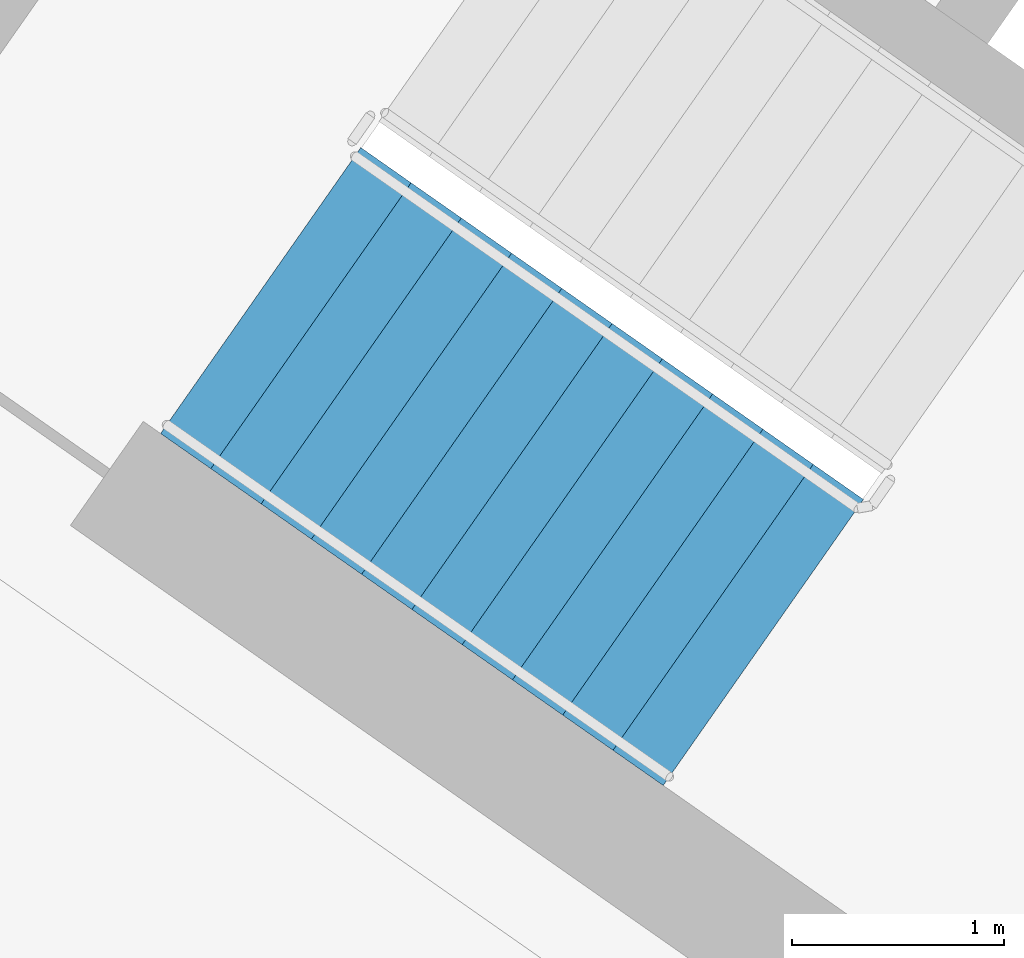
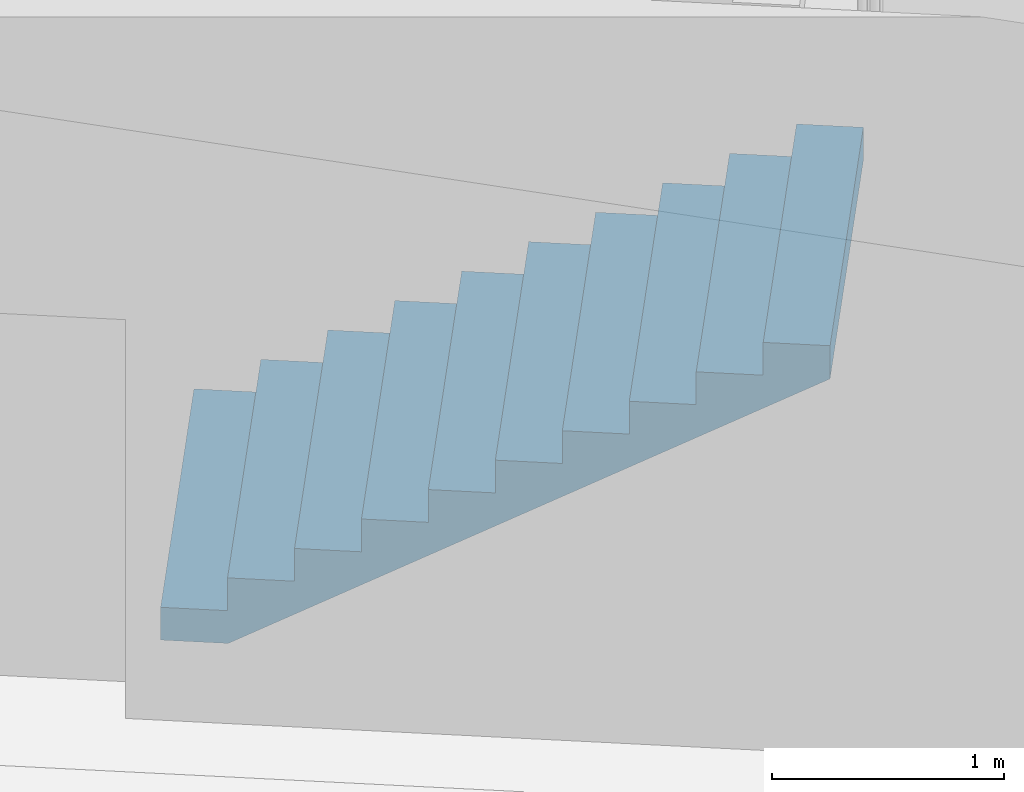
# One storey, part 10 of 28: 1 stair flight, 1 element without a shape of its own.
"""IFC4 building model written with IfcOpenShell, lengths in metres."""

from ifc_helpers import new_model, si_unit, direction, frame, origin, place, context, subcontext, project, spatial, faceted_brep, material, type_object, element, aggregate, save


model = new_model("IFC4")

# Units and contexts
model_context = context("Model", 3, precision=1e-05, world=origin(), true_north=direction((0.0, 1.0)))
body_context = subcontext(model_context, "Body", "Model", "MODEL_VIEW")
ifc_project = project(units=[si_unit("LENGTHUNIT", "METRE"), si_unit("AREAUNIT", "SQUARE_METRE"), si_unit("VOLUMEUNIT", "CUBIC_METRE"), si_unit("PLANEANGLEUNIT", "RADIAN"), si_unit("MASSUNIT", "GRAM", prefix="KILO")], contexts=[model_context])

# Site, building, storey
site_placement = place(None, origin())
site = spatial("IfcSite", under=ifc_project, at=site_placement, CompositionType="ELEMENT")
building_placement = place(site_placement, origin())
building = spatial("IfcBuilding", under=site, at=building_placement, Name="Qamariyya Broadcast Tower", CompositionType="ELEMENT")
storey_placement = place(building_placement, frame((0.0, 0.0, 277.10009765625)))
storey = spatial("IfcBuildingStorey", under=building, at=storey_placement, Name="L67", CompositionType="ELEMENT", Elevation=277.10009765625)

# Stair, stair flight
ifc_material = material(Name="Concrete C50/60", Category="concrete")
stair_type = type_object("IfcStairType", Name="Exit stair 22 risers of 173 mm", PredefinedType="HALF_TURN_STAIR", material=ifc_material)
stair_placement = place(storey_placement, origin())
stair = element("IfcStair", 1, at=stair_placement, inside=storey, type_object=stair_type, Name="L67 Stair W1", PredefinedType="HALF_TURN_STAIR")
stair_flight_type = type_object("IfcStairFlightType", Name="Exit stair flight 11 risers of 173 mm", PredefinedType="STRAIGHT", material=ifc_material)
stair_flight_placement = place(storey_placement, frame((-47.06884765625, -56.982666015625, 0.0), z_axis=(0.0, 0.0, 1.0), x_axis=(0.819152044289, -0.573576436351, 0.0)))
stair_flight = element("IfcStairFlight", 2, at=stair_flight_placement, type_object=stair_flight_type, Name="ST-W1 flight 1", NumberOfRisers=11, NumberOfTreads=10, PredefinedType="STRAIGHT", RiserHeight=0.172727273, TreadLength=0.29, context=body_context, shape_type="Brep", body=[
    faceted_brep([(0.0, 0.824951171875, 0.0), (0.0, 0.824951171875, 0.172607421875), (0.2900390625, 0.824951171875, 0.172607421875), (0.2900390625, 0.824951171875, 0.345458984375), (0.580078125, 0.824951171875, 0.345458984375), (0.580078125, 0.824951171875, 0.51806640625), (0.8701171875, 0.824951171875, 0.51806640625), (0.8701171875, 0.824951171875, 0.69091796875), (1.159912109375, 0.824951171875, 0.69091796875), (1.159912109375, 0.824951171875, 0.863525390625), (1.449951171875, 0.824951171875, 0.863525390625), (1.449951171875, 0.824951171875, 1.036376953125), (1.739990234375, 0.824951171875, 1.036376953125), (1.739990234375, 0.824951171875, 1.208984375), (2.030029296875, 0.824951171875, 1.208984375), (2.030029296875, 0.824951171875, 1.3818359375), (2.320068359375, 0.824951171875, 1.3818359375), (2.320068359375, 0.824951171875, 1.554443359375), (2.610107421875, 0.824951171875, 1.554443359375), (2.610107421875, 0.824951171875, 1.727294921875), (2.89990234375, 0.824951171875, 1.727294921875), (2.89990234375, 0.824951171875, 1.552734375), (0.29296875, 0.824951171875, 0.0), (0.29296875, -0.824951171875, 0.0), (2.89990234375, -0.824951171875, 1.552734375), (2.89990234375, -0.824951171875, 1.727294921875), (2.610107421875, -0.824951171875, 1.727294921875), (2.610107421875, -0.824951171875, 1.554443359375), (2.320068359375, -0.824951171875, 1.554443359375), (2.320068359375, -0.824951171875, 1.3818359375), (2.030029296875, -0.824951171875, 1.3818359375), (2.030029296875, -0.824951171875, 1.208984375), (1.739990234375, -0.824951171875, 1.208984375), (1.739990234375, -0.824951171875, 1.036376953125), (1.449951171875, -0.824951171875, 1.036376953125), (1.449951171875, -0.824951171875, 0.863525390625), (1.159912109375, -0.824951171875, 0.863525390625), (1.159912109375, -0.824951171875, 0.69091796875), (0.8701171875, -0.824951171875, 0.69091796875), (0.8701171875, -0.824951171875, 0.51806640625), (0.580078125, -0.824951171875, 0.51806640625), (0.580078125, -0.824951171875, 0.345458984375), (0.2900390625, -0.824951171875, 0.345458984375), (0.2900390625, -0.824951171875, 0.172607421875), (0.0, -0.824951171875, 0.172607421875), (0.0, -0.824951171875, 0.0), (0.0, 0.10009765625, 0.0), (0.0, 0.086669921875, 0.0), (0.0, 0.0732421875, 0.0), (0.0, 0.06005859375, 0.0), (0.0, 0.046630859375, 0.0), (0.0, 0.033447265625, 0.0), (0.0, 0.02001953125, 0.0), (0.0, 0.006591796875, 0.0), (0.0, -0.006591796875, 0.0), (0.0, -0.02001953125, 0.0), (0.0, -0.033447265625, 0.0), (0.0, -0.046630859375, 0.0), (0.0, -0.06005859375, 0.0), (0.0, -0.0732421875, 0.0), (0.0, -0.086669921875, 0.0), (0.0, -0.10009765625, 0.0), (0.0, -0.10009765625, 0.172607421875), (0.0, -0.086669921875, 0.172607421875), (0.0, -0.0732421875, 0.172607421875), (0.0, -0.06005859375, 0.172607421875), (0.0, -0.046630859375, 0.172607421875), (0.0, -0.033447265625, 0.172607421875), (0.0, -0.02001953125, 0.172607421875), (0.0, -0.006591796875, 0.172607421875), (0.0, 0.006591796875, 0.172607421875), (0.0, 0.02001953125, 0.172607421875), (0.0, 0.033447265625, 0.172607421875), (0.0, 0.046630859375, 0.172607421875), (0.0, 0.06005859375, 0.172607421875), (0.0, 0.0732421875, 0.172607421875), (0.0, 0.086669921875, 0.172607421875), (0.0, 0.10009765625, 0.172607421875), (0.2900390625, -0.10009765625, 0.172607421875), (0.2900390625, -0.086669921875, 0.172607421875), (0.2900390625, -0.0732421875, 0.172607421875), (0.2900390625, -0.06005859375, 0.172607421875), (0.2900390625, -0.046630859375, 0.172607421875), (0.2900390625, -0.033447265625, 0.172607421875), (0.2900390625, -0.02001953125, 0.172607421875), (0.2900390625, -0.006591796875, 0.172607421875), (0.2900390625, 0.006591796875, 0.172607421875), (0.2900390625, 0.02001953125, 0.172607421875), (0.2900390625, 0.033447265625, 0.172607421875), (0.2900390625, 0.046630859375, 0.172607421875), (0.2900390625, 0.06005859375, 0.172607421875), (0.2900390625, 0.0732421875, 0.172607421875), (0.2900390625, 0.086669921875, 0.172607421875), (0.2900390625, 0.10009765625, 0.172607421875), (0.2900390625, -0.10009765625, 0.345458984375), (0.2900390625, -0.086669921875, 0.345458984375), (0.2900390625, -0.0732421875, 0.345458984375), (0.2900390625, -0.06005859375, 0.345458984375), (0.2900390625, -0.046630859375, 0.345458984375), (0.2900390625, -0.033447265625, 0.345458984375), (0.2900390625, -0.02001953125, 0.345458984375), (0.2900390625, -0.006591796875, 0.345458984375), (0.2900390625, 0.006591796875, 0.345458984375), (0.2900390625, 0.02001953125, 0.345458984375), (0.2900390625, 0.033447265625, 0.345458984375), (0.2900390625, 0.046630859375, 0.345458984375), (0.2900390625, 0.06005859375, 0.345458984375), (0.2900390625, 0.0732421875, 0.345458984375), (0.2900390625, 0.086669921875, 0.345458984375), (0.2900390625, 0.10009765625, 0.345458984375), (0.580078125, -0.10009765625, 0.345458984375), (0.580078125, -0.086669921875, 0.345458984375), (0.580078125, -0.0732421875, 0.345458984375), (0.580078125, -0.06005859375, 0.345458984375), (0.580078125, -0.046630859375, 0.345458984375), (0.580078125, -0.033447265625, 0.345458984375), (0.580078125, -0.02001953125, 0.345458984375), (0.580078125, -0.006591796875, 0.345458984375), (0.580078125, 0.006591796875, 0.345458984375), (0.580078125, 0.02001953125, 0.345458984375), (0.580078125, 0.033447265625, 0.345458984375), (0.580078125, 0.046630859375, 0.345458984375), (0.580078125, 0.06005859375, 0.345458984375), (0.580078125, 0.0732421875, 0.345458984375), (0.580078125, 0.086669921875, 0.345458984375), (0.580078125, 0.10009765625, 0.345458984375), (0.580078125, -0.10009765625, 0.51806640625), (0.580078125, -0.086669921875, 0.51806640625), (0.580078125, -0.0732421875, 0.51806640625), (0.580078125, -0.06005859375, 0.51806640625), (0.580078125, -0.046630859375, 0.51806640625), (0.580078125, -0.033447265625, 0.51806640625), (0.580078125, -0.02001953125, 0.51806640625), (0.580078125, -0.006591796875, 0.51806640625), (0.580078125, 0.006591796875, 0.51806640625), (0.580078125, 0.02001953125, 0.51806640625), (0.580078125, 0.033447265625, 0.51806640625), (0.580078125, 0.046630859375, 0.51806640625), (0.580078125, 0.06005859375, 0.51806640625), (0.580078125, 0.0732421875, 0.51806640625), (0.580078125, 0.086669921875, 0.51806640625), (0.580078125, 0.10009765625, 0.51806640625), (0.8701171875, -0.10009765625, 0.51806640625), (0.8701171875, -0.086669921875, 0.51806640625), (0.8701171875, -0.0732421875, 0.51806640625), (0.8701171875, -0.06005859375, 0.51806640625), (0.8701171875, -0.046630859375, 0.51806640625), (0.8701171875, -0.033447265625, 0.51806640625), (0.8701171875, -0.02001953125, 0.51806640625), (0.8701171875, -0.006591796875, 0.51806640625), (0.8701171875, 0.006591796875, 0.51806640625), (0.8701171875, 0.02001953125, 0.51806640625), (0.8701171875, 0.033447265625, 0.51806640625), (0.8701171875, 0.046630859375, 0.51806640625), (0.8701171875, 0.06005859375, 0.51806640625), (0.8701171875, 0.0732421875, 0.51806640625), (0.8701171875, 0.086669921875, 0.51806640625), (0.8701171875, 0.10009765625, 0.51806640625), (0.8701171875, -0.10009765625, 0.69091796875), (0.8701171875, -0.086669921875, 0.69091796875), (0.8701171875, -0.0732421875, 0.69091796875), (0.8701171875, -0.06005859375, 0.69091796875), (0.8701171875, -0.046630859375, 0.69091796875), (0.8701171875, -0.033447265625, 0.69091796875), (0.8701171875, -0.02001953125, 0.69091796875), (0.8701171875, -0.006591796875, 0.69091796875), (0.8701171875, 0.006591796875, 0.69091796875), (0.8701171875, 0.02001953125, 0.69091796875), (0.8701171875, 0.033447265625, 0.69091796875), (0.8701171875, 0.046630859375, 0.69091796875), (0.8701171875, 0.06005859375, 0.69091796875), (0.8701171875, 0.0732421875, 0.69091796875), (0.8701171875, 0.086669921875, 0.69091796875), (0.8701171875, 0.10009765625, 0.69091796875), (1.159912109375, -0.10009765625, 0.69091796875), (1.159912109375, -0.086669921875, 0.69091796875), (1.159912109375, -0.0732421875, 0.69091796875), (1.159912109375, -0.06005859375, 0.69091796875), (1.159912109375, -0.046630859375, 0.69091796875), (1.159912109375, -0.033447265625, 0.69091796875), (1.159912109375, -0.02001953125, 0.69091796875), (1.159912109375, -0.006591796875, 0.69091796875), (1.159912109375, 0.006591796875, 0.69091796875), (1.159912109375, 0.02001953125, 0.69091796875), (1.159912109375, 0.033447265625, 0.69091796875), (1.159912109375, 0.046630859375, 0.69091796875), (1.159912109375, 0.06005859375, 0.69091796875), (1.159912109375, 0.0732421875, 0.69091796875), (1.159912109375, 0.086669921875, 0.69091796875), (1.159912109375, 0.10009765625, 0.69091796875), (1.159912109375, -0.10009765625, 0.863525390625), (1.159912109375, -0.086669921875, 0.863525390625), (1.159912109375, -0.0732421875, 0.863525390625), (1.159912109375, -0.06005859375, 0.863525390625), (1.159912109375, -0.046630859375, 0.863525390625), (1.159912109375, -0.033447265625, 0.863525390625), (1.159912109375, -0.02001953125, 0.863525390625), (1.159912109375, -0.006591796875, 0.863525390625), (1.159912109375, 0.006591796875, 0.863525390625), (1.159912109375, 0.02001953125, 0.863525390625), (1.159912109375, 0.033447265625, 0.863525390625), (1.159912109375, 0.046630859375, 0.863525390625), (1.159912109375, 0.06005859375, 0.863525390625), (1.159912109375, 0.0732421875, 0.863525390625), (1.159912109375, 0.086669921875, 0.863525390625), (1.159912109375, 0.10009765625, 0.863525390625), (1.449951171875, -0.10009765625, 0.863525390625), (1.449951171875, -0.086669921875, 0.863525390625), (1.449951171875, -0.0732421875, 0.863525390625), (1.449951171875, -0.06005859375, 0.863525390625), (1.449951171875, -0.046630859375, 0.863525390625), (1.449951171875, -0.033447265625, 0.863525390625), (1.449951171875, -0.02001953125, 0.863525390625), (1.449951171875, -0.006591796875, 0.863525390625), (1.449951171875, 0.006591796875, 0.863525390625), (1.449951171875, 0.02001953125, 0.863525390625), (1.449951171875, 0.033447265625, 0.863525390625), (1.449951171875, 0.046630859375, 0.863525390625), (1.449951171875, 0.06005859375, 0.863525390625), (1.449951171875, 0.0732421875, 0.863525390625), (1.449951171875, 0.086669921875, 0.863525390625), (1.449951171875, 0.10009765625, 0.863525390625), (1.449951171875, -0.10009765625, 1.036376953125), (1.449951171875, -0.086669921875, 1.036376953125), (1.449951171875, -0.0732421875, 1.036376953125), (1.449951171875, -0.06005859375, 1.036376953125), (1.449951171875, -0.046630859375, 1.036376953125), (1.449951171875, -0.033447265625, 1.036376953125), (1.449951171875, -0.02001953125, 1.036376953125), (1.449951171875, -0.006591796875, 1.036376953125), (1.449951171875, 0.006591796875, 1.036376953125), (1.449951171875, 0.02001953125, 1.036376953125), (1.449951171875, 0.033447265625, 1.036376953125), (1.449951171875, 0.046630859375, 1.036376953125), (1.449951171875, 0.06005859375, 1.036376953125), (1.449951171875, 0.0732421875, 1.036376953125), (1.449951171875, 0.086669921875, 1.036376953125), (1.449951171875, 0.10009765625, 1.036376953125), (1.739990234375, -0.10009765625, 1.036376953125), (1.739990234375, -0.086669921875, 1.036376953125), (1.739990234375, -0.0732421875, 1.036376953125), (1.739990234375, -0.06005859375, 1.036376953125), (1.739990234375, -0.046630859375, 1.036376953125), (1.739990234375, -0.033447265625, 1.036376953125), (1.739990234375, -0.02001953125, 1.036376953125), (1.739990234375, -0.006591796875, 1.036376953125), (1.739990234375, 0.006591796875, 1.036376953125), (1.739990234375, 0.02001953125, 1.036376953125), (1.739990234375, 0.033447265625, 1.036376953125), (1.739990234375, 0.046630859375, 1.036376953125), (1.739990234375, 0.06005859375, 1.036376953125), (1.739990234375, 0.0732421875, 1.036376953125), (1.739990234375, 0.086669921875, 1.036376953125), (1.739990234375, 0.10009765625, 1.036376953125), (1.739990234375, -0.10009765625, 1.208984375), (1.739990234375, -0.086669921875, 1.208984375), (1.739990234375, -0.0732421875, 1.208984375), (1.739990234375, -0.06005859375, 1.208984375), (1.739990234375, -0.046630859375, 1.208984375), (1.739990234375, -0.033447265625, 1.208984375), (1.739990234375, -0.02001953125, 1.208984375), (1.739990234375, -0.006591796875, 1.208984375), (1.739990234375, 0.006591796875, 1.208984375), (1.739990234375, 0.02001953125, 1.208984375), (1.739990234375, 0.033447265625, 1.208984375), (1.739990234375, 0.046630859375, 1.208984375), (1.739990234375, 0.06005859375, 1.208984375), (1.739990234375, 0.0732421875, 1.208984375), (1.739990234375, 0.086669921875, 1.208984375), (1.739990234375, 0.10009765625, 1.208984375), (2.030029296875, -0.10009765625, 1.208984375), (2.030029296875, -0.086669921875, 1.208984375), (2.030029296875, -0.0732421875, 1.208984375), (2.030029296875, -0.06005859375, 1.208984375), (2.030029296875, -0.046630859375, 1.208984375), (2.030029296875, -0.033447265625, 1.208984375), (2.030029296875, -0.02001953125, 1.208984375), (2.030029296875, -0.006591796875, 1.208984375), (2.030029296875, 0.006591796875, 1.208984375), (2.030029296875, 0.02001953125, 1.208984375), (2.030029296875, 0.033447265625, 1.208984375), (2.030029296875, 0.046630859375, 1.208984375), (2.030029296875, 0.06005859375, 1.208984375), (2.030029296875, 0.0732421875, 1.208984375), (2.030029296875, 0.086669921875, 1.208984375), (2.030029296875, 0.10009765625, 1.208984375), (2.030029296875, -0.10009765625, 1.3818359375), (2.030029296875, -0.086669921875, 1.3818359375), (2.030029296875, -0.0732421875, 1.3818359375), (2.030029296875, -0.06005859375, 1.3818359375), (2.030029296875, -0.046630859375, 1.3818359375), (2.030029296875, -0.033447265625, 1.3818359375), (2.030029296875, -0.02001953125, 1.3818359375), (2.030029296875, -0.006591796875, 1.3818359375), (2.030029296875, 0.006591796875, 1.3818359375), (2.030029296875, 0.02001953125, 1.3818359375), (2.030029296875, 0.033447265625, 1.3818359375), (2.030029296875, 0.046630859375, 1.3818359375), (2.030029296875, 0.06005859375, 1.3818359375), (2.030029296875, 0.0732421875, 1.3818359375), (2.030029296875, 0.086669921875, 1.3818359375), (2.030029296875, 0.10009765625, 1.3818359375), (2.320068359375, -0.10009765625, 1.3818359375), (2.320068359375, -0.086669921875, 1.3818359375), (2.320068359375, -0.0732421875, 1.3818359375), (2.320068359375, -0.06005859375, 1.3818359375), (2.320068359375, -0.046630859375, 1.3818359375), (2.320068359375, -0.033447265625, 1.3818359375), (2.320068359375, -0.02001953125, 1.3818359375), (2.320068359375, -0.006591796875, 1.3818359375), (2.320068359375, 0.006591796875, 1.3818359375), (2.320068359375, 0.02001953125, 1.3818359375), (2.320068359375, 0.033447265625, 1.3818359375), (2.320068359375, 0.046630859375, 1.3818359375), (2.320068359375, 0.06005859375, 1.3818359375), (2.320068359375, 0.0732421875, 1.3818359375), (2.320068359375, 0.086669921875, 1.3818359375), (2.320068359375, 0.10009765625, 1.3818359375), (2.320068359375, -0.10009765625, 1.554443359375), (2.320068359375, -0.086669921875, 1.554443359375), (2.320068359375, -0.0732421875, 1.554443359375), (2.320068359375, -0.06005859375, 1.554443359375), (2.320068359375, -0.046630859375, 1.554443359375), (2.320068359375, -0.033447265625, 1.554443359375), (2.320068359375, -0.02001953125, 1.554443359375), (2.320068359375, -0.006591796875, 1.554443359375), (2.320068359375, 0.006591796875, 1.554443359375), (2.320068359375, 0.02001953125, 1.554443359375), (2.320068359375, 0.033447265625, 1.554443359375), (2.320068359375, 0.046630859375, 1.554443359375), (2.320068359375, 0.06005859375, 1.554443359375), (2.320068359375, 0.0732421875, 1.554443359375), (2.320068359375, 0.086669921875, 1.554443359375), (2.320068359375, 0.10009765625, 1.554443359375), (2.610107421875, -0.10009765625, 1.554443359375), (2.610107421875, -0.086669921875, 1.554443359375), (2.610107421875, -0.0732421875, 1.554443359375), (2.610107421875, -0.06005859375, 1.554443359375), (2.610107421875, -0.046630859375, 1.554443359375), (2.610107421875, -0.033447265625, 1.554443359375), (2.610107421875, -0.02001953125, 1.554443359375), (2.610107421875, -0.006591796875, 1.554443359375), (2.610107421875, 0.006591796875, 1.554443359375), (2.610107421875, 0.02001953125, 1.554443359375), (2.610107421875, 0.033447265625, 1.554443359375), (2.610107421875, 0.046630859375, 1.554443359375), (2.610107421875, 0.06005859375, 1.554443359375), (2.610107421875, 0.0732421875, 1.554443359375), (2.610107421875, 0.086669921875, 1.554443359375), (2.610107421875, 0.10009765625, 1.554443359375), (2.610107421875, -0.10009765625, 1.727294921875), (2.610107421875, -0.086669921875, 1.727294921875), (2.610107421875, -0.0732421875, 1.727294921875), (2.610107421875, -0.06005859375, 1.727294921875), (2.610107421875, -0.046630859375, 1.727294921875), (2.610107421875, -0.033447265625, 1.727294921875), (2.610107421875, -0.02001953125, 1.727294921875), (2.610107421875, -0.006591796875, 1.727294921875), (2.610107421875, 0.006591796875, 1.727294921875), (2.610107421875, 0.02001953125, 1.727294921875), (2.610107421875, 0.033447265625, 1.727294921875), (2.610107421875, 0.046630859375, 1.727294921875), (2.610107421875, 0.06005859375, 1.727294921875), (2.610107421875, 0.0732421875, 1.727294921875), (2.610107421875, 0.086669921875, 1.727294921875), (2.610107421875, 0.10009765625, 1.727294921875), (2.89990234375, -0.10009765625, 1.727294921875), (2.89990234375, -0.086669921875, 1.727294921875), (2.89990234375, -0.0732421875, 1.727294921875), (2.89990234375, -0.06005859375, 1.727294921875), (2.89990234375, -0.046630859375, 1.727294921875), (2.89990234375, -0.033447265625, 1.727294921875), (2.89990234375, -0.02001953125, 1.727294921875), (2.89990234375, -0.006591796875, 1.727294921875), (2.89990234375, 0.006591796875, 1.727294921875), (2.89990234375, 0.02001953125, 1.727294921875), (2.89990234375, 0.033447265625, 1.727294921875), (2.89990234375, 0.046630859375, 1.727294921875), (2.89990234375, 0.06005859375, 1.727294921875), (2.89990234375, 0.0732421875, 1.727294921875), (2.89990234375, 0.086669921875, 1.727294921875), (2.89990234375, 0.10009765625, 1.727294921875), (2.89990234375, -0.10009765625, 1.552734375), (2.89990234375, -0.086669921875, 1.552734375), (2.89990234375, -0.0732421875, 1.552734375), (2.89990234375, -0.06005859375, 1.552734375), (2.89990234375, -0.046630859375, 1.552734375), (2.89990234375, -0.033447265625, 1.552734375), (2.89990234375, -0.02001953125, 1.552734375), (2.89990234375, -0.006591796875, 1.552734375), (2.89990234375, 0.006591796875, 1.552734375), (2.89990234375, 0.02001953125, 1.552734375), (2.89990234375, 0.033447265625, 1.552734375), (2.89990234375, 0.046630859375, 1.552734375), (2.89990234375, 0.06005859375, 1.552734375), (2.89990234375, 0.0732421875, 1.552734375), (2.89990234375, 0.086669921875, 1.552734375), (2.89990234375, 0.10009765625, 1.552734375), (0.29296875, -0.10009765625, 0.0), (0.29296875, -0.086669921875, 0.0), (0.29296875, -0.0732421875, 0.0), (0.29296875, -0.06005859375, 0.0), (0.29296875, -0.046630859375, 0.0), (0.29296875, -0.033447265625, 0.0), (0.29296875, -0.02001953125, 0.0), (0.29296875, -0.006591796875, 0.0), (0.29296875, 0.006591796875, 0.0), (0.29296875, 0.02001953125, 0.0), (0.29296875, 0.033447265625, 0.0), (0.29296875, 0.046630859375, 0.0), (0.29296875, 0.06005859375, 0.0), (0.29296875, 0.0732421875, 0.0), (0.29296875, 0.086669921875, 0.0), (0.29296875, 0.10009765625, 0.0)], [[[0, 1, 2, 3, 4, 5, 6, 7, 8, 9, 10, 11, 12, 13, 14, 15, 16, 17, 18, 19, 20, 21, 22]], [[23, 24, 25, 26, 27, 28, 29, 30, 31, 32, 33, 34, 35, 36, 37, 38, 39, 40, 41, 42, 43, 44, 45]], [[0, 46, 47, 48, 49, 50, 51, 52, 53, 54, 55, 56, 57, 58, 59, 60, 61, 45, 44, 62, 63, 64, 65, 66, 67, 68, 69, 70, 71, 72, 73, 74, 75, 76, 77, 1]], [[1, 77, 76, 75, 74, 73, 72, 71, 70, 69, 68, 67, 66, 65, 64, 63, 62, 44, 43, 78, 79, 80, 81, 82, 83, 84, 85, 86, 87, 88, 89, 90, 91, 92, 93, 2]], [[2, 93, 92, 91, 90, 89, 88, 87, 86, 85, 84, 83, 82, 81, 80, 79, 78, 43, 42, 94, 95, 96, 97, 98, 99, 100, 101, 102, 103, 104, 105, 106, 107, 108, 109, 3]], [[3, 109, 108, 107, 106, 105, 104, 103, 102, 101, 100, 99, 98, 97, 96, 95, 94, 42, 41, 110, 111, 112, 113, 114, 115, 116, 117, 118, 119, 120, 121, 122, 123, 124, 125, 4]], [[4, 125, 124, 123, 122, 121, 120, 119, 118, 117, 116, 115, 114, 113, 112, 111, 110, 41, 40, 126, 127, 128, 129, 130, 131, 132, 133, 134, 135, 136, 137, 138, 139, 140, 141, 5]], [[5, 141, 140, 139, 138, 137, 136, 135, 134, 133, 132, 131, 130, 129, 128, 127, 126, 40, 39, 142, 143, 144, 145, 146, 147, 148, 149, 150, 151, 152, 153, 154, 155, 156, 157, 6]], [[6, 157, 156, 155, 154, 153, 152, 151, 150, 149, 148, 147, 146, 145, 144, 143, 142, 39, 38, 158, 159, 160, 161, 162, 163, 164, 165, 166, 167, 168, 169, 170, 171, 172, 173, 7]], [[7, 173, 172, 171, 170, 169, 168, 167, 166, 165, 164, 163, 162, 161, 160, 159, 158, 38, 37, 174, 175, 176, 177, 178, 179, 180, 181, 182, 183, 184, 185, 186, 187, 188, 189, 8]], [[8, 189, 188, 187, 186, 185, 184, 183, 182, 181, 180, 179, 178, 177, 176, 175, 174, 37, 36, 190, 191, 192, 193, 194, 195, 196, 197, 198, 199, 200, 201, 202, 203, 204, 205, 9]], [[9, 205, 204, 203, 202, 201, 200, 199, 198, 197, 196, 195, 194, 193, 192, 191, 190, 36, 35, 206, 207, 208, 209, 210, 211, 212, 213, 214, 215, 216, 217, 218, 219, 220, 221, 10]], [[10, 221, 220, 219, 218, 217, 216, 215, 214, 213, 212, 211, 210, 209, 208, 207, 206, 35, 34, 222, 223, 224, 225, 226, 227, 228, 229, 230, 231, 232, 233, 234, 235, 236, 237, 11]], [[11, 237, 236, 235, 234, 233, 232, 231, 230, 229, 228, 227, 226, 225, 224, 223, 222, 34, 33, 238, 239, 240, 241, 242, 243, 244, 245, 246, 247, 248, 249, 250, 251, 252, 253, 12]], [[12, 253, 252, 251, 250, 249, 248, 247, 246, 245, 244, 243, 242, 241, 240, 239, 238, 33, 32, 254, 255, 256, 257, 258, 259, 260, 261, 262, 263, 264, 265, 266, 267, 268, 269, 13]], [[13, 269, 268, 267, 266, 265, 264, 263, 262, 261, 260, 259, 258, 257, 256, 255, 254, 32, 31, 270, 271, 272, 273, 274, 275, 276, 277, 278, 279, 280, 281, 282, 283, 284, 285, 14]], [[14, 285, 284, 283, 282, 281, 280, 279, 278, 277, 276, 275, 274, 273, 272, 271, 270, 31, 30, 286, 287, 288, 289, 290, 291, 292, 293, 294, 295, 296, 297, 298, 299, 300, 301, 15]], [[15, 301, 300, 299, 298, 297, 296, 295, 294, 293, 292, 291, 290, 289, 288, 287, 286, 30, 29, 302, 303, 304, 305, 306, 307, 308, 309, 310, 311, 312, 313, 314, 315, 316, 317, 16]], [[16, 317, 316, 315, 314, 313, 312, 311, 310, 309, 308, 307, 306, 305, 304, 303, 302, 29, 28, 318, 319, 320, 321, 322, 323, 324, 325, 326, 327, 328, 329, 330, 331, 332, 333, 17]], [[17, 333, 332, 331, 330, 329, 328, 327, 326, 325, 324, 323, 322, 321, 320, 319, 318, 28, 27, 334, 335, 336, 337, 338, 339, 340, 341, 342, 343, 344, 345, 346, 347, 348, 349, 18]], [[18, 349, 348, 347, 346, 345, 344, 343, 342, 341, 340, 339, 338, 337, 336, 335, 334, 27, 26, 350, 351, 352, 353, 354, 355, 356, 357, 358, 359, 360, 361, 362, 363, 364, 365, 19]], [[19, 365, 364, 363, 362, 361, 360, 359, 358, 357, 356, 355, 354, 353, 352, 351, 350, 26, 25, 366, 367, 368, 369, 370, 371, 372, 373, 374, 375, 376, 377, 378, 379, 380, 381, 20]], [[20, 381, 380, 379, 378, 377, 376, 375, 374, 373, 372, 371, 370, 369, 368, 367, 366, 25, 24, 382, 383, 384, 385, 386, 387, 388, 389, 390, 391, 392, 393, 394, 395, 396, 397, 21]], [[21, 397, 396, 395, 394, 393, 392, 391, 390, 389, 388, 387, 386, 385, 384, 383, 382, 24, 23, 398, 399, 400, 401, 402, 403, 404, 405, 406, 407, 408, 409, 410, 411, 412, 413, 22]], [[22, 413, 412, 411, 410, 409, 408, 407, 406, 405, 404, 403, 402, 401, 400, 399, 398, 23, 45, 61, 60, 59, 58, 57, 56, 55, 54, 53, 52, 51, 50, 49, 48, 47, 46, 0]]]),
])
aggregate(stair, [stair_flight])

save(model, "model.ifc")
